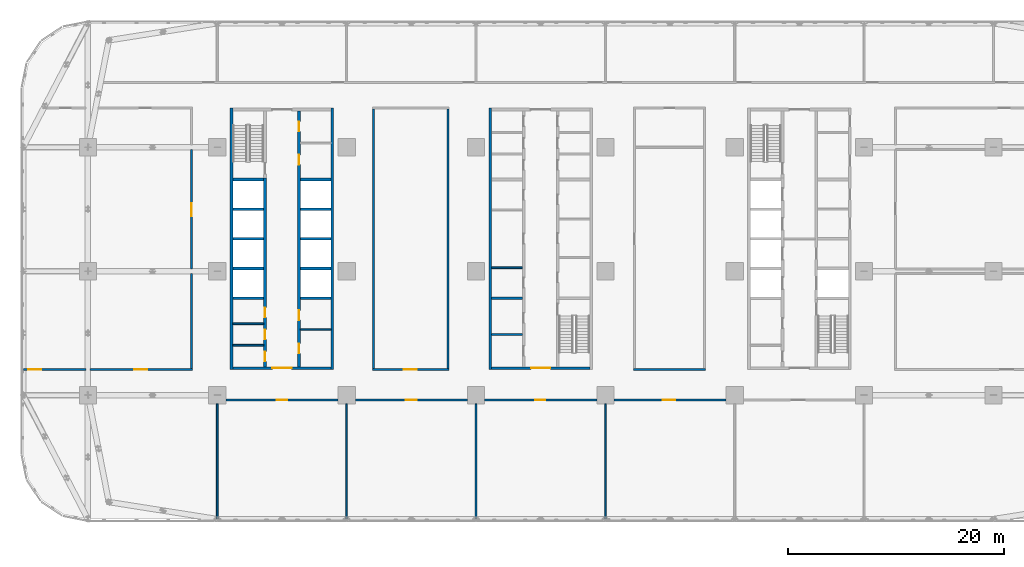
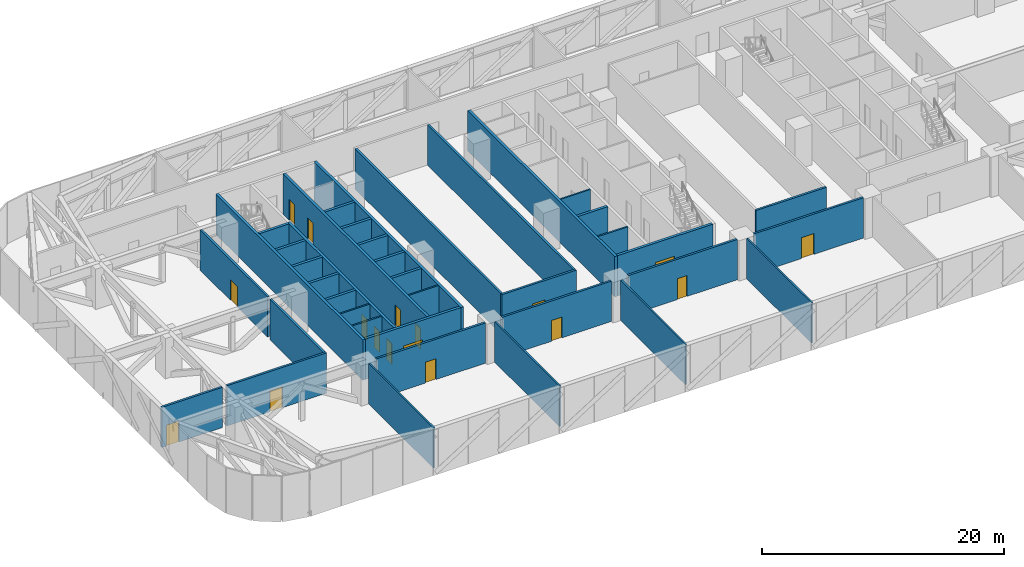
# One storey, part 8 of 25: 39 walls, 17 doors, 17 openings.
"""IFC4 building model written with IfcOpenShell, lengths in metres."""

from ifc_helpers import new_model, si_unit, direction, frame, frame_2d, origin, place, context, subcontext, project, spatial, rectangle, extrude, material, layer, layer_set, type_object, element, fill, save


model = new_model("IFC4")

# Units and contexts
model_context = context("Model", 3, precision=1e-05, world=origin(), true_north=direction((0.0, 1.0)))
body_context = subcontext(model_context, "Body", "Model", "MODEL_VIEW")
ifc_project = project(units=[si_unit("LENGTHUNIT", "METRE"), si_unit("AREAUNIT", "SQUARE_METRE"), si_unit("VOLUMEUNIT", "CUBIC_METRE"), si_unit("PLANEANGLEUNIT", "RADIAN"), si_unit("MASSUNIT", "GRAM", prefix="KILO")], contexts=[model_context])

# Site, building, storey
site_placement = place(None, origin())
site = spatial("IfcSite", under=ifc_project, at=site_placement, CompositionType="ELEMENT")
building_placement = place(site_placement, origin())
building = spatial("IfcBuilding", under=site, at=building_placement, Name="Mahtab Terrace Research Tower", CompositionType="ELEMENT")
storey_placement = place(building_placement, frame((0.0, 0.0, 41.60009765625)))
storey = spatial("IfcBuildingStorey", under=building, at=storey_placement, Name="L09", CompositionType="ELEMENT", Elevation=41.60009765625)

# Walls
ifc_material_1 = material(Name="Gypsum board partition")
ifc_layer_1 = layer(ifc_material_1, 0.14990234375)
ifc_layer_set_1 = layer_set([ifc_layer_1], Name="Core partition 150")
wall_type_1 = type_object("IfcWallType", Name="Core partition 150", PredefinedType="PARTITIONING", material=ifc_layer_set_1)
for number, where, z_axis, x_axis, name in (
    (1, (-28.550048828125, -6.875, 0.0), (0.0, 0.0, 1.0), (1.0, 0.0, 0.0), "Core wall A pWS-988"),
    (2, (-28.550048828125, -4.875, 0.0), (0.0, 0.0, 1.0), (1.0, 0.0, 0.0), "Core wall A pWS-788"),
    (3, (-22.300048828125, -5.39501953125, 0.0), (0.0, 0.0, 1.0), (1.0, 0.0, 0.0), "Core wall A pES-840"),
    (4, (-4.550048828125, 0.3125, 0.0), (0.0, 0.0, 1.0), (1.0, 0.0, 0.0), "Core wall B pWL-269"),
    (5, (-4.550048828125, -5.875, 0.0), (0.0, 0.0, 1.0), (1.0, 0.0, 0.0), "Core wall B pWS-888"),
):
    element("IfcWall", number, at=place(storey_placement, frame(where, z_axis=z_axis, x_axis=x_axis)), inside=storey, type_object=wall_type_1, Name=name, PredefinedType="PARTITIONING", context=body_context, shape_type="SweptSolid", body=[
        extrude(rectangle(XDim=2.85009765625, YDim=0.14990234375, at=frame_2d((1.425048828125, 0.0))), origin(), (0.0, 0.0, 1.0), 4.059814453125),
    ])
ifc_material_2 = material(Name="Concrete C70/85", Category="concrete")
ifc_layer_2 = layer(ifc_material_2, 0.25)
ifc_layer_set_2 = layer_set([ifc_layer_2], Name="Core wall 250")
wall_type_2 = type_object("IfcWallType", Name="Core wall 250", PredefinedType="SOLIDWALL", material=ifc_layer_set_2)
for number, where, z_axis, x_axis, name in (
    (6, (-28.675048828125, 15.125, 0.0), (0.0, 0.0, 1.0), (0.0, -1.0, 0.0), "Core wall A outerW"),
    (7, (-19.324951171875, -9.125, 0.0), (0.0, 0.0, 1.0), (0.0, 1.0, 0.0), "Core wall A outerE"),
):
    element("IfcWall", number, at=place(storey_placement, frame(where, z_axis=z_axis, x_axis=x_axis)), inside=storey, type_object=wall_type_2, Name=name, PredefinedType="SOLIDWALL", context=body_context, shape_type="SweptSolid", body=[
        extrude(rectangle(XDim=24.25, YDim=0.25, at=frame_2d((12.125, 0.0))), origin(), (0.0, 0.0, 1.0), 4.059814453125),
    ])

# Wall, opening, door
wall_1_placement = place(storey_placement, frame((-19.449951171875, -9.0, 0.0), z_axis=(0.0, 0.0, 1.0), x_axis=(-1.0, 0.0, 0.0)))
wall_1 = element("IfcWall", 8, at=wall_1_placement, inside=storey, type_object=wall_type_2, Name="Core wall A endS", PredefinedType="SOLIDWALL", context=body_context, shape_type="SweptSolid", body=[
    extrude(rectangle(XDim=9.10009765625, YDim=0.25, at=frame_2d((4.550048828125, 0.0))), origin(), (0.0, 0.0, 1.0), 4.059814453125),
])
opening_1_placement = place(wall_1_placement, frame((3.64990234375, 0.0, 0.0)))
opening_1 = element("IfcOpeningElement", 9, at=opening_1_placement, cuts=wall_1, Name="Opening A-S1", PredefinedType="OPENING", context=body_context, shape_type="SweptSolid", body=[
    extrude(rectangle(XDim=1.800048828125, YDim=2.10009765625, at=frame_2d((0.89990234375, 1.050048828125))), frame((0.0, 0.135009765625, 0.0), z_axis=(0.0, -1.0, 0.0), x_axis=(1.0, 0.0, 0.0)), (0.0, 0.0, 1.0), 0.27001953125),
])
ifc_material_3 = material(Name="Steel fire door", Category="steel")
door_type_1 = type_object("IfcDoorType", Name="Lobby double door 1800x2100 1 HR", OperationType="DOUBLE_DOOR_SINGLE_SWING", PredefinedType="DOOR", material=ifc_material_3)
door_1_placement = place(opening_1_placement, origin())
door_1 = element("IfcDoor", 10, at=door_1_placement, inside=storey, type_object=door_type_1, Name="Core entrance door A S", OperationType="DOUBLE_DOOR_SINGLE_SWING", OverallHeight=2.10009765625, OverallWidth=1.800048828125, PredefinedType="DOOR", context=body_context, shape_type="SweptSolid", body=[
    extrude(rectangle(XDim=1.800048828125, YDim=2.10009765625, at=frame_2d((0.89990234375, 1.050048828125))), frame((0.0, 0.02490234375, 0.0), z_axis=(0.0, -1.0, 0.0), x_axis=(1.0, 0.0, 0.0)), (0.0, 0.0, 1.0), 0.050048828125),
])
fill(opening_1, door_1)

# Wall, openings, doors
wall_2_placement = place(storey_placement, frame((-25.574951171875, -8.875, 0.0), z_axis=(0.0, 0.0, 1.0), x_axis=(0.0, 1.0, 0.0)))
wall_2 = element("IfcWall", 11, at=wall_2_placement, inside=storey, type_object=wall_type_2, Name="Core wall A innerWSL", PredefinedType="SOLIDWALL", context=body_context, shape_type="SweptSolid", body=[
    extrude(rectangle(XDim=17.5, YDim=0.25, at=frame_2d((8.75, 0.0))), origin(), (0.0, 0.0, 1.0), 4.059814453125),
])
opening_2_placement = place(wall_2_placement, frame((0.512451171875, 0.0, 0.0)))
opening_2 = element("IfcOpeningElement", 12, at=opening_2_placement, cuts=wall_2, Name="Opening A-R1", PredefinedType="OPENING", context=body_context, shape_type="SweptSolid", body=[
    extrude(rectangle(XDim=0.89990234375, YDim=2.10009765625, at=frame_2d((0.449951171875, 1.050048828125))), frame((0.0, 0.135009765625, 0.0), z_axis=(0.0, -1.0, 0.0), x_axis=(1.0, 0.0, 0.0)), (0.0, 0.0, 1.0), 0.27001953125),
])
opening_3_placement = place(wall_2_placement, frame((2.550048828125, 0.0, 0.0)))
opening_3 = element("IfcOpeningElement", 13, at=opening_3_placement, cuts=wall_2, Name="Opening A-R2", PredefinedType="OPENING", context=body_context, shape_type="SweptSolid", body=[
    extrude(rectangle(XDim=0.89990234375, YDim=2.10009765625, at=frame_2d((0.449951171875, 1.050048828125))), frame((0.0, 0.135009765625, 0.0), z_axis=(0.0, -1.0, 0.0), x_axis=(1.0, 0.0, 0.0)), (0.0, 0.0, 1.0), 0.27001953125),
])
opening_4_placement = place(wall_2_placement, frame((4.58740234375, 0.0, 0.0)))
opening_4 = element("IfcOpeningElement", 14, at=opening_4_placement, cuts=wall_2, Name="Opening A-R3", PredefinedType="OPENING", context=body_context, shape_type="SweptSolid", body=[
    extrude(rectangle(XDim=0.89990234375, YDim=2.10009765625, at=frame_2d((0.449951171875, 1.050048828125))), frame((0.0, 0.135009765625, 0.0), z_axis=(0.0, -1.0, 0.0), x_axis=(1.0, 0.0, 0.0)), (0.0, 0.0, 1.0), 0.27001953125),
])
door_type_2 = type_object("IfcDoorType", Name="Room door 900x2100 1 HR", OperationType="NOTDEFINED", PredefinedType="DOOR", material=ifc_material_3)
door_2_placement = place(opening_2_placement, origin())
door_2 = element("IfcDoor", 15, at=door_2_placement, inside=storey, type_object=door_type_2, Name="Male WC door", OperationType="SINGLE_SWING_LEFT", OverallHeight=2.10009765625, OverallWidth=0.89990234375, PredefinedType="DOOR", context=body_context, shape_type="SweptSolid", body=[
    extrude(rectangle(XDim=0.89990234375, YDim=2.10009765625, at=frame_2d((0.449951171875, 1.050048828125))), frame((0.0, 0.02490234375, 0.0), z_axis=(0.0, -1.0, 0.0), x_axis=(1.0, 0.0, 0.0)), (0.0, 0.0, 1.0), 0.050048828125),
])
fill(opening_2, door_2)
door_3_placement = place(opening_3_placement, origin())
door_3 = element("IfcDoor", 16, at=door_3_placement, inside=storey, type_object=door_type_2, Name="Female WC door", OperationType="SINGLE_SWING_RIGHT", OverallHeight=2.10009765625, OverallWidth=0.89990234375, PredefinedType="DOOR", context=body_context, shape_type="SweptSolid", body=[
    extrude(rectangle(XDim=0.89990234375, YDim=2.10009765625, at=frame_2d((0.449951171875, 1.050048828125))), frame((0.0, 0.02490234375, 0.0), z_axis=(0.0, -1.0, 0.0), x_axis=(1.0, 0.0, 0.0)), (0.0, 0.0, 1.0), 0.050048828125),
])
fill(opening_3, door_3)
door_4_placement = place(opening_4_placement, origin())
door_4 = element("IfcDoor", 17, at=door_4_placement, inside=storey, type_object=door_type_2, Name="Accessible WC door", OperationType="SINGLE_SWING_LEFT", OverallHeight=2.10009765625, OverallWidth=0.89990234375, PredefinedType="DOOR", context=body_context, shape_type="SweptSolid", body=[
    extrude(rectangle(XDim=0.89990234375, YDim=2.10009765625, at=frame_2d((0.449951171875, 1.050048828125))), frame((0.0, 0.02490234375, 0.0), z_axis=(0.0, -1.0, 0.0), x_axis=(1.0, 0.0, 0.0)), (0.0, 0.0, 1.0), 0.050048828125),
])
fill(opening_4, door_4)

wall_3_placement = place(storey_placement, frame((-22.425048828125, 14.875, 0.0), z_axis=(0.0, 0.0, 1.0), x_axis=(0.0, -1.0, 0.0)))
wall_3 = element("IfcWall", 18, at=wall_3_placement, inside=storey, type_object=wall_type_2, Name="Core wall A innerESLN", PredefinedType="SOLIDWALL", context=body_context, shape_type="SweptSolid", body=[
    extrude(rectangle(XDim=23.75, YDim=0.25, at=frame_2d((11.875, 0.0))), origin(), (0.0, 0.0, 1.0), 4.059814453125),
])
opening_5_placement = place(wall_3_placement, frame((21.597412109375, 0.0, 0.0)))
opening_5 = element("IfcOpeningElement", 19, at=opening_5_placement, cuts=wall_3, Name="Opening A-R4", PredefinedType="OPENING", context=body_context, shape_type="SweptSolid", body=[
    extrude(rectangle(XDim=0.89990234375, YDim=2.10009765625, at=frame_2d((0.449951171875, 1.050048828125))), frame((0.0, 0.135009765625, 0.0), z_axis=(0.0, -1.0, 0.0), x_axis=(1.0, 0.0, 0.0)), (0.0, 0.0, 1.0), 0.27001953125),
])
opening_6_placement = place(wall_3_placement, frame((18.5224609375, 0.0, 0.0)))
opening_6 = element("IfcOpeningElement", 20, at=opening_6_placement, cuts=wall_3, Name="Opening A-R5", PredefinedType="OPENING", context=body_context, shape_type="SweptSolid", body=[
    extrude(rectangle(XDim=0.89990234375, YDim=2.10009765625, at=frame_2d((0.449951171875, 1.050048828125))), frame((0.0, 0.135009765625, 0.0), z_axis=(0.0, -1.0, 0.0), x_axis=(1.0, 0.0, 0.0)), (0.0, 0.0, 1.0), 0.27001953125),
])
opening_7_placement = place(wall_3_placement, frame((4.08740234375, 0.0, 0.0)))
opening_7 = element("IfcOpeningElement", 21, at=opening_7_placement, cuts=wall_3, Name="Opening A-R6", PredefinedType="OPENING", context=body_context, shape_type="SweptSolid", body=[
    extrude(rectangle(XDim=0.89990234375, YDim=2.10009765625, at=frame_2d((0.449951171875, 1.050048828125))), frame((0.0, 0.135009765625, 0.0), z_axis=(0.0, -1.0, 0.0), x_axis=(1.0, 0.0, 0.0)), (0.0, 0.0, 1.0), 0.27001953125),
])
opening_8_placement = place(wall_3_placement, frame((1.012451171875, 0.0, 0.0)))
opening_8 = element("IfcOpeningElement", 22, at=opening_8_placement, cuts=wall_3, Name="Opening A-R7", PredefinedType="OPENING", context=body_context, shape_type="SweptSolid", body=[
    extrude(rectangle(XDim=0.89990234375, YDim=2.10009765625, at=frame_2d((0.449951171875, 1.050048828125))), frame((0.0, 0.135009765625, 0.0), z_axis=(0.0, -1.0, 0.0), x_axis=(1.0, 0.0, 0.0)), (0.0, 0.0, 1.0), 0.27001953125),
])
door_5_placement = place(opening_5_placement, origin())
door_5 = element("IfcDoor", 23, at=door_5_placement, inside=storey, type_object=door_type_2, Name="Pantry door", OperationType="SINGLE_SWING_RIGHT", OverallHeight=2.10009765625, OverallWidth=0.89990234375, PredefinedType="DOOR", context=body_context, shape_type="SweptSolid", body=[
    extrude(rectangle(XDim=0.89990234375, YDim=2.10009765625, at=frame_2d((0.449951171875, 1.050048828125))), frame((0.0, 0.02490234375, 0.0), z_axis=(0.0, -1.0, 0.0), x_axis=(1.0, 0.0, 0.0)), (0.0, 0.0, 1.0), 0.050048828125),
])
fill(opening_5, door_5)
door_6_placement = place(opening_6_placement, origin())
door_6 = element("IfcDoor", 24, at=door_6_placement, inside=storey, type_object=door_type_2, Name="Linen store door", OperationType="SINGLE_SWING_LEFT", OverallHeight=2.10009765625, OverallWidth=0.89990234375, PredefinedType="DOOR", context=body_context, shape_type="SweptSolid", body=[
    extrude(rectangle(XDim=0.89990234375, YDim=2.10009765625, at=frame_2d((0.449951171875, 1.050048828125))), frame((0.0, 0.02490234375, 0.0), z_axis=(0.0, -1.0, 0.0), x_axis=(1.0, 0.0, 0.0)), (0.0, 0.0, 1.0), 0.050048828125),
])
fill(opening_6, door_6)
door_7_placement = place(opening_7_placement, origin())
door_7 = element("IfcDoor", 25, at=door_7_placement, inside=storey, type_object=door_type_2, Name="Housekeeping store door", OperationType="SINGLE_SWING_RIGHT", OverallHeight=2.10009765625, OverallWidth=0.89990234375, PredefinedType="DOOR", context=body_context, shape_type="SweptSolid", body=[
    extrude(rectangle(XDim=0.89990234375, YDim=2.10009765625, at=frame_2d((0.449951171875, 1.050048828125))), frame((0.0, 0.02490234375, 0.0), z_axis=(0.0, -1.0, 0.0), x_axis=(1.0, 0.0, 0.0)), (0.0, 0.0, 1.0), 0.050048828125),
])
fill(opening_7, door_7)
door_8_placement = place(opening_8_placement, origin())
door_8 = element("IfcDoor", 26, at=door_8_placement, inside=storey, type_object=door_type_2, Name="Electrical riser room door", OperationType="SINGLE_SWING_LEFT", OverallHeight=2.10009765625, OverallWidth=0.89990234375, PredefinedType="DOOR", context=body_context, shape_type="SweptSolid", body=[
    extrude(rectangle(XDim=0.89990234375, YDim=2.10009765625, at=frame_2d((0.449951171875, 1.050048828125))), frame((0.0, 0.02490234375, 0.0), z_axis=(0.0, -1.0, 0.0), x_axis=(1.0, 0.0, 0.0)), (0.0, 0.0, 1.0), 0.050048828125),
])
fill(opening_8, door_8)

# Walls
for number, where, z_axis, x_axis, name in (
    (27, (-28.550048828125, -2.5, 0.0), (0.0, 0.0, 1.0), (1.0, 0.0, 0.0), "Core wall A divW0"),
    (28, (-28.550048828125, 0.25, 0.0), (0.0, 0.0, 1.0), (1.0, 0.0, 0.0), "Core wall A divW1"),
    (29, (-28.550048828125, 3.0, 0.0), (0.0, 0.0, 1.0), (1.0, 0.0, 0.0), "Core wall A divW2"),
    (30, (-28.550048828125, 5.75, 0.0), (0.0, 0.0, 1.0), (1.0, 0.0, 0.0), "Core wall A divW3"),
    (31, (-28.550048828125, 8.5, 0.0), (0.0, 0.0, 1.0), (1.0, 0.0, 0.0), "Core wall A divW4"),
    (32, (-22.300048828125, -2.5, 0.0), (0.0, 0.0, 1.0), (1.0, 0.0, 0.0), "Core wall A divE0"),
    (33, (-22.300048828125, 0.25, 0.0), (0.0, 0.0, 1.0), (1.0, 0.0, 0.0), "Core wall A divE1"),
    (34, (-22.300048828125, 3.0, 0.0), (0.0, 0.0, 1.0), (1.0, 0.0, 0.0), "Core wall A divE2"),
    (35, (-22.300048828125, 5.75, 0.0), (0.0, 0.0, 1.0), (1.0, 0.0, 0.0), "Core wall A divE3"),
    (36, (-22.300048828125, 8.5, 0.0), (0.0, 0.0, 1.0), (1.0, 0.0, 0.0), "Core wall A divE4"),
):
    element("IfcWall", number, at=place(storey_placement, frame(where, z_axis=z_axis, x_axis=x_axis)), inside=storey, type_object=wall_type_2, Name=name, PredefinedType="SOLIDWALL", context=body_context, shape_type="SweptSolid", body=[
        extrude(rectangle(XDim=2.85009765625, YDim=0.25, at=frame_2d((1.425048828125, 0.0))), origin(), (0.0, 0.0, 1.0), 4.059814453125),
    ])
wall_4_placement = place(storey_placement, frame((-4.675048828125, 15.125, 0.0), z_axis=(0.0, 0.0, 1.0), x_axis=(0.0, -1.0, 0.0)))
element("IfcWall", 37, at=wall_4_placement, inside=storey, type_object=wall_type_2, Name="Core wall B outerW", PredefinedType="SOLIDWALL", context=body_context, shape_type="SweptSolid", body=[
    extrude(rectangle(XDim=24.25, YDim=0.25, at=frame_2d((12.125, 0.0))), origin(), (0.0, 0.0, 1.0), 4.059814453125),
])

# Wall, opening, door
wall_5_placement = place(storey_placement, frame((4.550048828125, -9.0, 0.0), z_axis=(0.0, 0.0, 1.0), x_axis=(-1.0, 0.0, 0.0)))
wall_5 = element("IfcWall", 38, at=wall_5_placement, inside=storey, type_object=wall_type_2, Name="Core wall B endS", PredefinedType="SOLIDWALL", context=body_context, shape_type="SweptSolid", body=[
    extrude(rectangle(XDim=9.10009765625, YDim=0.25, at=frame_2d((4.550048828125, 0.0))), origin(), (0.0, 0.0, 1.0), 4.059814453125),
])
opening_9_placement = place(wall_5_placement, frame((3.64990234375, 0.0, 0.0)))
opening_9 = element("IfcOpeningElement", 39, at=opening_9_placement, cuts=wall_5, Name="Opening B-S1", PredefinedType="OPENING", context=body_context, shape_type="SweptSolid", body=[
    extrude(rectangle(XDim=1.800048828125, YDim=2.10009765625, at=frame_2d((0.89990234375, 1.050048828125))), frame((0.0, 0.135009765625, 0.0), z_axis=(0.0, -1.0, 0.0), x_axis=(1.0, 0.0, 0.0)), (0.0, 0.0, 1.0), 0.27001953125),
])
door_9_placement = place(opening_9_placement, origin())
door_9 = element("IfcDoor", 40, at=door_9_placement, inside=storey, type_object=door_type_1, Name="Core entrance door B S", OperationType="DOUBLE_DOOR_SINGLE_SWING", OverallHeight=2.10009765625, OverallWidth=1.800048828125, PredefinedType="DOOR", context=body_context, shape_type="SweptSolid", body=[
    extrude(rectangle(XDim=1.800048828125, YDim=2.10009765625, at=frame_2d((0.89990234375, 1.050048828125))), frame((0.0, 0.02490234375, 0.0), z_axis=(0.0, -1.0, 0.0), x_axis=(1.0, 0.0, 0.0)), (0.0, 0.0, 1.0), 0.050048828125),
])
fill(opening_9, door_9)

# Wall
wall_6_placement = place(storey_placement, frame((-4.550048828125, -2.5, 0.0), z_axis=(0.0, 0.0, 1.0), x_axis=(1.0, 0.0, 0.0)))
element("IfcWall", 41, at=wall_6_placement, inside=storey, type_object=wall_type_2, Name="Core wall B divW0", PredefinedType="SOLIDWALL", context=body_context, shape_type="SweptSolid", body=[
    extrude(rectangle(XDim=2.85009765625, YDim=0.25, at=frame_2d((1.425048828125, 0.0))), origin(), (0.0, 0.0, 1.0), 4.059814453125),
])

# Wall, opening, door
ifc_material_4 = material(Name="Gypsum board corridor wall on steel studs", Category="steel")
ifc_layer_3 = layer(ifc_material_4, 0.199951171875)
ifc_layer_set_3 = layer_set([ifc_layer_3], Name="WALL CORRIDOR 200")
wall_type_3 = type_object("IfcWallType", Name="WALL CORRIDOR 200", PredefinedType="PARTITIONING", material=ifc_layer_set_3)
wall_7_placement = place(storey_placement, frame((-29.199951171875, -11.949951171875, 0.0), z_axis=(0.0, 0.0, 1.0), x_axis=(1.0, 0.0, 0.0)))
wall_7 = element("IfcWall", 42, at=wall_7_placement, inside=storey, type_object=wall_type_3, Name="L09-W001", PredefinedType="PARTITIONING", context=body_context, shape_type="SweptSolid", body=[
    extrude(rectangle(XDim=10.39990234375, YDim=0.199951171875, at=frame_2d((5.199951171875, 0.0))), origin(), (0.0, 0.0, 1.0), 4.059814453125),
])
opening_10_placement = place(wall_7_placement, frame((4.699951171875, 0.0, 0.0)))
opening_10 = element("IfcOpeningElement", 43, at=opening_10_placement, cuts=wall_7, Name="Opening L09-101", PredefinedType="OPENING", context=body_context, shape_type="SweptSolid", body=[
    extrude(rectangle(XDim=1.0, YDim=2.10009765625, at=frame_2d((0.5, 1.050048828125))), frame((0.0, 0.10986328125, 0.0), z_axis=(0.0, -1.0, 0.0), x_axis=(1.0, 0.0, 0.0)), (0.0, 0.0, 1.0), 0.219970703125),
])
ifc_material_5 = material(Name="Timber door leaf in steel frame", Category="steel")
door_type_3 = type_object("IfcDoorType", Name="DOOR 1000X2100 FD30S", OperationType="SINGLE_SWING_LEFT", PredefinedType="DOOR", material=ifc_material_5)
door_10_placement = place(opening_10_placement, origin())
door_10 = element("IfcDoor", 44, at=door_10_placement, inside=storey, type_object=door_type_3, Name="Door L09-101", OperationType="SINGLE_SWING_RIGHT", OverallHeight=2.10009765625, OverallWidth=1.0, PredefinedType="DOOR", context=body_context, shape_type="SweptSolid", body=[
    extrude(rectangle(XDim=1.0, YDim=2.10009765625, at=frame_2d((0.5, 1.050048828125))), frame((0.0, 0.02490234375, 0.0), z_axis=(0.0, -1.0, 0.0), x_axis=(1.0, 0.0, 0.0)), (0.0, 0.0, 1.0), 0.050048828125),
])
fill(opening_10, door_10)

wall_8_placement = place(storey_placement, frame((-17.199951171875, -11.949951171875, 0.0), z_axis=(0.0, 0.0, 1.0), x_axis=(1.0, 0.0, 0.0)))
wall_8 = element("IfcWall", 45, at=wall_8_placement, inside=storey, type_object=wall_type_3, Name="L09-W002", PredefinedType="PARTITIONING", context=body_context, shape_type="SweptSolid", body=[
    extrude(rectangle(XDim=10.39990234375, YDim=0.199951171875, at=frame_2d((5.199951171875, 0.0))), origin(), (0.0, 0.0, 1.0), 4.059814453125),
])
opening_11_placement = place(wall_8_placement, frame((4.699951171875, 0.0, 0.0)))
opening_11 = element("IfcOpeningElement", 46, at=opening_11_placement, cuts=wall_8, Name="Opening L09-102", PredefinedType="OPENING", context=body_context, shape_type="SweptSolid", body=[
    extrude(rectangle(XDim=1.0, YDim=2.10009765625, at=frame_2d((0.5, 1.050048828125))), frame((0.0, 0.10986328125, 0.0), z_axis=(0.0, -1.0, 0.0), x_axis=(1.0, 0.0, 0.0)), (0.0, 0.0, 1.0), 0.219970703125),
])
door_11_placement = place(opening_11_placement, origin())
door_11 = element("IfcDoor", 47, at=door_11_placement, inside=storey, type_object=door_type_3, Name="Door L09-102", OperationType="SINGLE_SWING_LEFT", OverallHeight=2.10009765625, OverallWidth=1.0, PredefinedType="DOOR", context=body_context, shape_type="SweptSolid", body=[
    extrude(rectangle(XDim=1.0, YDim=2.10009765625, at=frame_2d((0.5, 1.050048828125))), frame((0.0, 0.02490234375, 0.0), z_axis=(0.0, -1.0, 0.0), x_axis=(1.0, 0.0, 0.0)), (0.0, 0.0, 1.0), 0.050048828125),
])
fill(opening_11, door_11)

wall_9_placement = place(storey_placement, frame((-5.199951171875, -11.949951171875, 0.0), z_axis=(0.0, 0.0, 1.0), x_axis=(1.0, 0.0, 0.0)))
wall_9 = element("IfcWall", 48, at=wall_9_placement, inside=storey, type_object=wall_type_3, Name="L09-W003", PredefinedType="PARTITIONING", context=body_context, shape_type="SweptSolid", body=[
    extrude(rectangle(XDim=10.39990234375, YDim=0.199951171875, at=frame_2d((5.199951171875, 0.0))), origin(), (0.0, 0.0, 1.0), 4.059814453125),
])
opening_12_placement = place(wall_9_placement, frame((4.699951171875, 0.0, 0.0)))
opening_12 = element("IfcOpeningElement", 49, at=opening_12_placement, cuts=wall_9, Name="Opening L09-103", PredefinedType="OPENING", context=body_context, shape_type="SweptSolid", body=[
    extrude(rectangle(XDim=0.89990234375, YDim=2.10009765625, at=frame_2d((0.449951171875, 1.050048828125))), frame((0.0, 0.10986328125, 0.0), z_axis=(0.0, -1.0, 0.0), x_axis=(1.0, 0.0, 0.0)), (0.0, 0.0, 1.0), 0.219970703125),
])
door_type_4 = type_object("IfcDoorType", Name="DOOR 0900X2100 FD30S", OperationType="SINGLE_SWING_LEFT", PredefinedType="DOOR", material=ifc_material_5)
door_12_placement = place(opening_12_placement, origin())
door_12 = element("IfcDoor", 50, at=door_12_placement, inside=storey, type_object=door_type_4, Name="Door L09-103", OperationType="SINGLE_SWING_RIGHT", OverallHeight=2.10009765625, OverallWidth=0.89990234375, PredefinedType="DOOR", context=body_context, shape_type="SweptSolid", body=[
    extrude(rectangle(XDim=0.89990234375, YDim=2.10009765625, at=frame_2d((0.449951171875, 1.050048828125))), frame((0.0, 0.02490234375, 0.0), z_axis=(0.0, -1.0, 0.0), x_axis=(1.0, 0.0, 0.0)), (0.0, 0.0, 1.0), 0.050048828125),
])
fill(opening_12, door_12)

wall_10_placement = place(storey_placement, frame((6.800048828125, -11.949951171875, 0.0), z_axis=(0.0, 0.0, 1.0), x_axis=(1.0, 0.0, 0.0)))
wall_10 = element("IfcWall", 51, at=wall_10_placement, inside=storey, type_object=wall_type_3, Name="L09-W004", PredefinedType="PARTITIONING", context=body_context, shape_type="SweptSolid", body=[
    extrude(rectangle(XDim=10.39990234375, YDim=0.199951171875, at=frame_2d((5.199951171875, 0.0))), origin(), (0.0, 0.0, 1.0), 4.059814453125),
])
opening_13_placement = place(wall_10_placement, frame((4.5, 0.0, 0.0)))
opening_13 = element("IfcOpeningElement", 52, at=opening_13_placement, cuts=wall_10, Name="Opening L09-104", PredefinedType="OPENING", context=body_context, shape_type="SweptSolid", body=[
    extrude(rectangle(XDim=1.199951171875, YDim=2.10009765625, at=frame_2d((0.60009765625, 1.050048828125))), frame((0.0, 0.10986328125, 0.0), z_axis=(0.0, -1.0, 0.0), x_axis=(1.0, 0.0, 0.0)), (0.0, 0.0, 1.0), 0.219970703125),
])
door_type_5 = type_object("IfcDoorType", Name="DOOR 1200X2100 FD30S", OperationType="SINGLE_SWING_LEFT", PredefinedType="DOOR", material=ifc_material_5)
door_13_placement = place(opening_13_placement, origin())
door_13 = element("IfcDoor", 53, at=door_13_placement, inside=storey, type_object=door_type_5, Name="Door L09-104", OperationType="SINGLE_SWING_RIGHT", OverallHeight=2.10009765625, OverallWidth=1.199951171875, PredefinedType="DOOR", context=body_context, shape_type="SweptSolid", body=[
    extrude(rectangle(XDim=1.199951171875, YDim=2.10009765625, at=frame_2d((0.60009765625, 1.050048828125))), frame((0.0, 0.02490234375, 0.0), z_axis=(0.0, -1.0, 0.0), x_axis=(1.0, 0.0, 0.0)), (0.0, 0.0, 1.0), 0.050048828125),
])
fill(opening_13, door_13)

wall_11_placement = place(storey_placement, frame((-48.0, -9.125, 0.0), z_axis=(0.0, 0.0, 1.0), x_axis=(1.0, 0.0, 0.0)))
wall_11 = element("IfcWall", 54, at=wall_11_placement, inside=storey, type_object=wall_type_3, Name="L09-W006", PredefinedType="PARTITIONING", context=body_context, shape_type="SweptSolid", body=[
    extrude(rectangle(XDim=5.800048828125, YDim=0.199951171875, at=frame_2d((2.89990234375, 0.0))), origin(), (0.0, 0.0, 1.0), 4.059814453125),
])
opening_14_placement = place(wall_11_placement, frame((0.449951171875, 0.0, 0.0)))
opening_14 = element("IfcOpeningElement", 55, at=opening_14_placement, cuts=wall_11, Name="Opening L09-106", PredefinedType="OPENING", context=body_context, shape_type="SweptSolid", body=[
    extrude(rectangle(XDim=1.199951171875, YDim=2.10009765625, at=frame_2d((0.60009765625, 1.050048828125))), frame((0.0, 0.10986328125, 0.0), z_axis=(0.0, -1.0, 0.0), x_axis=(1.0, 0.0, 0.0)), (0.0, 0.0, 1.0), 0.219970703125),
])
door_14_placement = place(opening_14_placement, origin())
door_14 = element("IfcDoor", 56, at=door_14_placement, inside=storey, type_object=door_type_5, Name="Door L09-106", OperationType="SINGLE_SWING_LEFT", OverallHeight=2.10009765625, OverallWidth=1.199951171875, PredefinedType="DOOR", context=body_context, shape_type="SweptSolid", body=[
    extrude(rectangle(XDim=1.199951171875, YDim=2.10009765625, at=frame_2d((0.60009765625, 1.050048828125))), frame((0.0, 0.02490234375, 0.0), z_axis=(0.0, -1.0, 0.0), x_axis=(1.0, 0.0, 0.0)), (0.0, 0.0, 1.0), 0.050048828125),
])
fill(opening_14, door_14)

wall_12_placement = place(storey_placement, frame((-41.800048828125, -9.125, 0.0), z_axis=(0.0, 0.0, 1.0), x_axis=(1.0, 0.0, 0.0)))
wall_12 = element("IfcWall", 57, at=wall_12_placement, inside=storey, type_object=wall_type_3, Name="L09-W007", PredefinedType="PARTITIONING", context=body_context, shape_type="SweptSolid", body=[
    extrude(rectangle(XDim=9.5, YDim=0.199951171875, at=frame_2d((4.75, 0.0))), origin(), (0.0, 0.0, 1.0), 4.059814453125),
])
opening_15_placement = place(wall_12_placement, frame((4.10009765625, 0.0, 0.0)))
opening_15 = element("IfcOpeningElement", 58, at=opening_15_placement, cuts=wall_12, Name="Opening L09-107", PredefinedType="OPENING", context=body_context, shape_type="SweptSolid", body=[
    extrude(rectangle(XDim=1.199951171875, YDim=2.10009765625, at=frame_2d((0.60009765625, 1.050048828125))), frame((0.0, 0.10986328125, 0.0), z_axis=(0.0, -1.0, 0.0), x_axis=(1.0, 0.0, 0.0)), (0.0, 0.0, 1.0), 0.219970703125),
])
door_15_placement = place(opening_15_placement, origin())
door_15 = element("IfcDoor", 59, at=door_15_placement, inside=storey, type_object=door_type_5, Name="Door L09-107", OperationType="SINGLE_SWING_LEFT", OverallHeight=2.10009765625, OverallWidth=1.199951171875, PredefinedType="DOOR", context=body_context, shape_type="SweptSolid", body=[
    extrude(rectangle(XDim=1.199951171875, YDim=2.10009765625, at=frame_2d((0.60009765625, 1.050048828125))), frame((0.0, 0.02490234375, 0.0), z_axis=(0.0, -1.0, 0.0), x_axis=(1.0, 0.0, 0.0)), (0.0, 0.0, 1.0), 0.050048828125),
])
fill(opening_15, door_15)

wall_13_placement = place(storey_placement, frame((-15.60009765625, -9.125, 0.0), z_axis=(0.0, 0.0, 1.0), x_axis=(1.0, 0.0, 0.0)))
wall_13 = element("IfcWall", 60, at=wall_13_placement, inside=storey, type_object=wall_type_3, Name="L09-W008", PredefinedType="PARTITIONING", context=body_context, shape_type="SweptSolid", body=[
    extrude(rectangle(XDim=7.10009765625, YDim=0.199951171875, at=frame_2d((3.550048828125, 0.0))), origin(), (0.0, 0.0, 1.0), 4.059814453125),
])
opening_16_placement = place(wall_13_placement, frame((2.89990234375, 0.0, 0.0)))
opening_16 = element("IfcOpeningElement", 61, at=opening_16_placement, cuts=wall_13, Name="Opening L09-110", PredefinedType="OPENING", context=body_context, shape_type="SweptSolid", body=[
    extrude(rectangle(XDim=1.199951171875, YDim=2.10009765625, at=frame_2d((0.60009765625, 1.050048828125))), frame((0.0, 0.10986328125, 0.0), z_axis=(0.0, -1.0, 0.0), x_axis=(1.0, 0.0, 0.0)), (0.0, 0.0, 1.0), 0.219970703125),
])
door_16_placement = place(opening_16_placement, origin())
door_16 = element("IfcDoor", 62, at=door_16_placement, inside=storey, type_object=door_type_5, Name="Door L09-110", OperationType="SINGLE_SWING_LEFT", OverallHeight=2.10009765625, OverallWidth=1.199951171875, PredefinedType="DOOR", context=body_context, shape_type="SweptSolid", body=[
    extrude(rectangle(XDim=1.199951171875, YDim=2.10009765625, at=frame_2d((0.60009765625, 1.050048828125))), frame((0.0, 0.02490234375, 0.0), z_axis=(0.0, -1.0, 0.0), x_axis=(1.0, 0.0, 0.0)), (0.0, 0.0, 1.0), 0.050048828125),
])
fill(opening_16, door_16)

# Walls
wall_14_placement = place(storey_placement, frame((8.60009765625, -9.125, 0.0), z_axis=(0.0, 0.0, 1.0), x_axis=(1.0, 0.0, 0.0)))
element("IfcWall", 63, at=wall_14_placement, inside=storey, type_object=wall_type_3, Name="L09-W009", PredefinedType="PARTITIONING", context=body_context, shape_type="SweptSolid", body=[
    extrude(rectangle(XDim=6.699951171875, YDim=0.199951171875, at=frame_2d((3.35009765625, 0.0))), origin(), (0.0, 0.0, 1.0), 4.059814453125),
])
wall_15_placement = place(storey_placement, frame((-32.39990234375, -9.02490234375, 0.0), z_axis=(0.0, 0.0, 1.0), x_axis=(0.0, 1.0, 0.0)))
element("IfcWall", 64, at=wall_15_placement, inside=storey, type_object=wall_type_3, Name="L09-W024", PredefinedType="PARTITIONING", context=body_context, shape_type="SweptSolid", body=[
    extrude(rectangle(XDim=8.824951171875, YDim=0.199951171875, at=frame_2d((4.41259765625, 0.0))), origin(), (0.0, 0.0, 1.0), 4.059814453125),
])

# Wall, opening, door
wall_16_placement = place(storey_placement, frame((-32.39990234375, 0.199951171875, 0.0), z_axis=(0.0, 0.0, 1.0), x_axis=(0.0, 1.0, 0.0)))
wall_16 = element("IfcWall", 65, at=wall_16_placement, inside=storey, type_object=wall_type_3, Name="L09-W025", PredefinedType="PARTITIONING", context=body_context, shape_type="SweptSolid", body=[
    extrude(rectangle(XDim=11.10009765625, YDim=0.199951171875, at=frame_2d((5.550048828125, 0.0))), origin(), (0.0, 0.0, 1.0), 4.059814453125),
])
opening_17_placement = place(wall_16_placement, frame((4.89990234375, 0.0, 0.0)))
opening_17 = element("IfcOpeningElement", 66, at=opening_17_placement, cuts=wall_16, Name="Opening L09-109", PredefinedType="OPENING", context=body_context, shape_type="SweptSolid", body=[
    extrude(rectangle(XDim=1.199951171875, YDim=2.10009765625, at=frame_2d((0.60009765625, 1.050048828125))), frame((0.0, 0.10986328125, 0.0), z_axis=(0.0, -1.0, 0.0), x_axis=(1.0, 0.0, 0.0)), (0.0, 0.0, 1.0), 0.219970703125),
])
door_17_placement = place(opening_17_placement, origin())
door_17 = element("IfcDoor", 67, at=door_17_placement, inside=storey, type_object=door_type_5, Name="Door L09-109", OperationType="SINGLE_SWING_LEFT", OverallHeight=2.10009765625, OverallWidth=1.199951171875, PredefinedType="DOOR", context=body_context, shape_type="SweptSolid", body=[
    extrude(rectangle(XDim=1.199951171875, YDim=2.10009765625, at=frame_2d((0.60009765625, 1.050048828125))), frame((0.0, 0.02490234375, 0.0), z_axis=(0.0, -1.0, 0.0), x_axis=(1.0, 0.0, 0.0)), (0.0, 0.0, 1.0), 0.050048828125),
])
fill(opening_17, door_17)

# Walls
for number, where, z_axis, x_axis, name in (
    (68, (-15.5, -9.02490234375, 0.0), (0.0, 0.0, 1.0), (0.0, 1.0, 0.0), "L09-W031"),
    (69, (-8.60009765625, -9.02490234375, 0.0), (0.0, 0.0, 1.0), (0.0, 1.0, 0.0), "L09-W032"),
):
    element("IfcWall", number, at=place(storey_placement, frame(where, z_axis=z_axis, x_axis=x_axis)), inside=storey, type_object=wall_type_3, Name=name, PredefinedType="PARTITIONING", context=body_context, shape_type="SweptSolid", body=[
        extrude(rectangle(XDim=24.0498046875, YDim=0.199951171875, at=frame_2d((12.02490234375, 0.0))), origin(), (0.0, 0.0, 1.0), 4.059814453125),
    ])
ifc_material_6 = material(Name="Gypsum board partition on steel studs", Category="steel")
ifc_layer_4 = layer(ifc_material_6, 0.14990234375)
ifc_layer_set_4 = layer_set([ifc_layer_4], Name="WALL PARTITION 150")
wall_type_4 = type_object("IfcWallType", Name="WALL PARTITION 150", PredefinedType="PARTITIONING", material=ifc_layer_set_4)
for number, where, z_axis, x_axis, name in (
    (70, (-30.0, -23.0, 0.0), (0.0, 0.0, 1.0), (0.0, 1.0, 0.0), "L09-W027"),
    (71, (-18.0, -23.0, 0.0), (0.0, 0.0, 1.0), (0.0, 1.0, 0.0), "L09-W029"),
    (72, (-6.0, -23.0, 0.0), (0.0, 0.0, 1.0), (0.0, 1.0, 0.0), "L09-W033"),
    (73, (6.0, -23.0, 0.0), (0.0, 0.0, 1.0), (0.0, 1.0, 0.0), "L09-W035"),
):
    element("IfcWall", number, at=place(storey_placement, frame(where, z_axis=z_axis, x_axis=x_axis)), inside=storey, type_object=wall_type_4, Name=name, PredefinedType="PARTITIONING", context=body_context, shape_type="SweptSolid", body=[
        extrude(rectangle(XDim=10.699951171875, YDim=0.14990234375, at=frame_2d((5.35009765625, 0.0))), origin(), (0.0, 0.0, 1.0), 4.059814453125),
    ])

save(model, "model.ifc")
